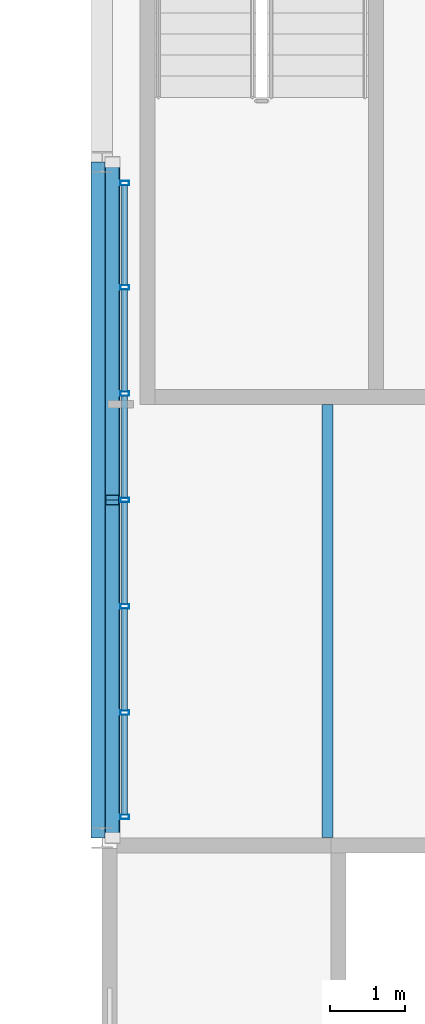
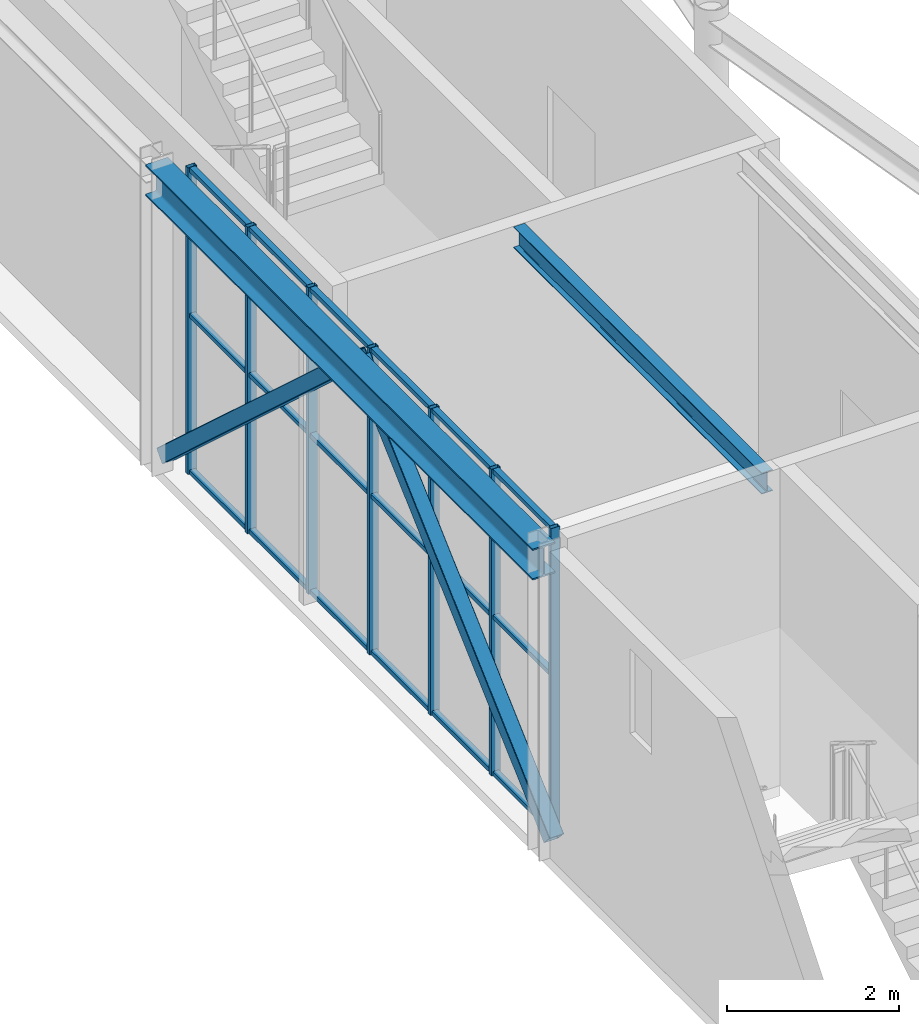
# One storey, part 20 of 70: 27 members, 2 beams, 1 element without a shape of its own.
"""IFC4 building model written with IfcOpenShell, lengths in metres."""

from ifc_helpers import new_model, si_unit, direction, frame, origin, origin_2d, place, context, subcontext, project, spatial, hollow_rectangle, i_section, extrude, material, layer, layer_set, material_profile, profile_set, type_object, element, aggregate, save


model = new_model("IFC4")

# Units and contexts
model_context = context("Model", 3, precision=1e-05, world=origin(), true_north=direction((0.0, 1.0)))
body_context = subcontext(model_context, "Body", "Model", "MODEL_VIEW")
ifc_project = project(units=[si_unit("LENGTHUNIT", "METRE"), si_unit("AREAUNIT", "SQUARE_METRE"), si_unit("VOLUMEUNIT", "CUBIC_METRE"), si_unit("PLANEANGLEUNIT", "RADIAN"), si_unit("MASSUNIT", "GRAM", prefix="KILO")], contexts=[model_context])

# Site, building, storey
site_placement = place(None, origin())
site = spatial("IfcSite", under=ifc_project, at=site_placement, CompositionType="ELEMENT")
building_placement = place(site_placement, origin())
building = spatial("IfcBuilding", under=site, at=building_placement, Name="Kallimachos Central Library", CompositionType="ELEMENT")
storey_placement = place(building_placement, frame((0.0, 0.0, 18.89990234375)))
storey = spatial("IfcBuildingStorey", under=building, at=storey_placement, Name="L04", CompositionType="ELEMENT", Elevation=18.89990234375)

# Curtain wall, members
ifc_material_1 = material(Name="Anodised aluminium and laminated glass", Category="aluminium")
ifc_layer = layer(ifc_material_1, 0.159912109375)
ifc_layer_set = layer_set([ifc_layer], Name="Glass box curtain wall")
curtain_wall_type = type_object("IfcCurtainWallType", Name="Glass box curtain wall", PredefinedType="NOTDEFINED", material=ifc_layer_set)
curtain_wall_placement = place(storey_placement, origin())
curtain_wall = element("IfcCurtainWall", 1, at=curtain_wall_placement, inside=storey, type_object=curtain_wall_type, Name="Glass box curtain wall W L04", PredefinedType="NOTDEFINED")
ifc_material_2 = material(Name="Anodised aluminium", Category="aluminium")
ifc_material_profile_1 = material_profile(ifc_material_2, hollow_rectangle(XDim=0.06005859375, YDim=0.1201171875, WallThickness=0.00390625, at=origin_2d()), Name="ALU MULLION 60x120")
ifc_profile_set_1 = profile_set([ifc_material_profile_1], Name="Anodised aluminium")
member_type_1 = type_object("IfcMemberType", Name="Glass box mullion 60x120", PredefinedType="MULLION", material=ifc_profile_set_1)
member_1_placement = place(storey_placement, frame((65.800048828125, 96.280029296875, 0.0), z_axis=(0.0, 0.0, 1.0), x_axis=(0.0, 1.0, 0.0)))
member_1 = element("IfcMember", 2, at=member_1_placement, type_object=member_type_1, Name="CW30 mullion 1", PredefinedType="MULLION", context=body_context, shape_type="SweptSolid", body=[
    extrude(hollow_rectangle(XDim=0.06005859375, YDim=0.1201171875, WallThickness=0.00390625, at=origin_2d()), origin(), (0.0, 0.0, 1.0), 4.35009765625),
])
member_2_placement = place(storey_placement, frame((65.800048828125, 97.666748046875, 0.0), z_axis=(0.0, 0.0, 1.0), x_axis=(0.0, 1.0, 0.0)))
member_2 = element("IfcMember", 3, at=member_2_placement, type_object=member_type_1, Name="CW30 mullion 2", PredefinedType="MULLION", context=body_context, shape_type="SweptSolid", body=[
    extrude(hollow_rectangle(XDim=0.06005859375, YDim=0.1201171875, WallThickness=0.00390625, at=origin_2d()), origin(), (0.0, 0.0, 1.0), 4.35009765625),
])
member_3_placement = place(storey_placement, frame((65.800048828125, 99.083251953125, 0.0), z_axis=(0.0, 0.0, 1.0), x_axis=(0.0, 1.0, 0.0)))
member_3 = element("IfcMember", 4, at=member_3_placement, type_object=member_type_1, Name="CW30 mullion 3", PredefinedType="MULLION", context=body_context, shape_type="SweptSolid", body=[
    extrude(hollow_rectangle(XDim=0.06005859375, YDim=0.1201171875, WallThickness=0.00390625, at=origin_2d()), origin(), (0.0, 0.0, 1.0), 4.35009765625),
])
member_4_placement = place(storey_placement, frame((65.800048828125, 100.5, 0.0), z_axis=(0.0, 0.0, 1.0), x_axis=(0.0, 1.0, 0.0)))
member_4 = element("IfcMember", 5, at=member_4_placement, type_object=member_type_1, Name="CW30 mullion 4", PredefinedType="MULLION", context=body_context, shape_type="SweptSolid", body=[
    extrude(hollow_rectangle(XDim=0.06005859375, YDim=0.1201171875, WallThickness=0.00390625, at=origin_2d()), origin(), (0.0, 0.0, 1.0), 4.35009765625),
])
member_5_placement = place(storey_placement, frame((65.800048828125, 101.916748046875, 0.0), z_axis=(0.0, 0.0, 1.0), x_axis=(0.0, 1.0, 0.0)))
member_5 = element("IfcMember", 6, at=member_5_placement, type_object=member_type_1, Name="CW30 mullion 5", PredefinedType="MULLION", context=body_context, shape_type="SweptSolid", body=[
    extrude(hollow_rectangle(XDim=0.06005859375, YDim=0.1201171875, WallThickness=0.00390625, at=origin_2d()), origin(), (0.0, 0.0, 1.0), 4.35009765625),
])
member_6_placement = place(storey_placement, frame((65.800048828125, 103.333251953125, 0.0), z_axis=(0.0, 0.0, 1.0), x_axis=(0.0, 1.0, 0.0)))
member_6 = element("IfcMember", 7, at=member_6_placement, type_object=member_type_1, Name="CW30 mullion 6", PredefinedType="MULLION", context=body_context, shape_type="SweptSolid", body=[
    extrude(hollow_rectangle(XDim=0.06005859375, YDim=0.1201171875, WallThickness=0.00390625, at=origin_2d()), origin(), (0.0, 0.0, 1.0), 4.35009765625),
])
member_7_placement = place(storey_placement, frame((65.800048828125, 104.719970703125, 0.0), z_axis=(0.0, 0.0, 1.0), x_axis=(0.0, 1.0, 0.0)))
member_7 = element("IfcMember", 8, at=member_7_placement, type_object=member_type_1, Name="CW30 mullion 7", PredefinedType="MULLION", context=body_context, shape_type="SweptSolid", body=[
    extrude(hollow_rectangle(XDim=0.06005859375, YDim=0.1201171875, WallThickness=0.00390625, at=origin_2d()), origin(), (0.0, 0.0, 1.0), 4.35009765625),
])
ifc_material_3 = material(Name="Anodised aluminium", Category="aluminium")
ifc_material_profile_2 = material_profile(ifc_material_3, hollow_rectangle(XDim=0.06005859375, YDim=0.080078125, WallThickness=0.00390625, at=origin_2d()), Name="ALU TRANSOM 60x80")
ifc_profile_set_2 = profile_set([ifc_material_profile_2], Name="Anodised aluminium")
member_type_2 = type_object("IfcMemberType", Name="Glass box transom 60x80", PredefinedType="USERDEFINED", material=ifc_profile_set_2)
member_8_placement = place(storey_placement, frame((65.800048828125, 96.31005859375, 0.030029296875), z_axis=(0.0, 1.0, 0.0), x_axis=(0.0, 0.0, 1.0)))
member_8 = element("IfcMember", 9, at=member_8_placement, type_object=member_type_2, Name="CW30 transom 1.1", ObjectType="TRANSOM", PredefinedType="USERDEFINED", context=body_context, shape_type="SweptSolid", body=[
    extrude(hollow_rectangle(XDim=0.06005859375, YDim=0.080078125, WallThickness=0.00390625, at=origin_2d()), origin(), (0.0, 0.0, 1.0), 1.32666015625),
])
member_9_placement = place(storey_placement, frame((65.800048828125, 96.31005859375, 2.25), z_axis=(0.0, 1.0, 0.0), x_axis=(0.0, 0.0, 1.0)))
member_9 = element("IfcMember", 10, at=member_9_placement, type_object=member_type_2, Name="CW30 transom 1.2", ObjectType="TRANSOM", PredefinedType="USERDEFINED", context=body_context, shape_type="SweptSolid", body=[
    extrude(hollow_rectangle(XDim=0.06005859375, YDim=0.080078125, WallThickness=0.00390625, at=origin_2d()), origin(), (0.0, 0.0, 1.0), 1.32666015625),
])
member_10_placement = place(storey_placement, frame((65.800048828125, 96.31005859375, 4.320068359375), z_axis=(0.0, 1.0, 0.0), x_axis=(0.0, 0.0, 1.0)))
member_10 = element("IfcMember", 11, at=member_10_placement, type_object=member_type_2, Name="CW30 transom 1.3", ObjectType="TRANSOM", PredefinedType="USERDEFINED", context=body_context, shape_type="SweptSolid", body=[
    extrude(hollow_rectangle(XDim=0.06005859375, YDim=0.080078125, WallThickness=0.00390625, at=origin_2d()), origin(), (0.0, 0.0, 1.0), 1.32666015625),
])
member_11_placement = place(storey_placement, frame((65.800048828125, 97.69677734375, 0.030029296875), z_axis=(0.0, 1.0, 0.0), x_axis=(0.0, 0.0, 1.0)))
member_11 = element("IfcMember", 12, at=member_11_placement, type_object=member_type_2, Name="CW30 transom 2.1", ObjectType="TRANSOM", PredefinedType="USERDEFINED", context=body_context, shape_type="SweptSolid", body=[
    extrude(hollow_rectangle(XDim=0.06005859375, YDim=0.080078125, WallThickness=0.00390625, at=origin_2d()), origin(), (0.0, 0.0, 1.0), 1.3564453125),
])
member_12_placement = place(storey_placement, frame((65.800048828125, 97.69677734375, 2.25), z_axis=(0.0, 1.0, 0.0), x_axis=(0.0, 0.0, 1.0)))
member_12 = element("IfcMember", 13, at=member_12_placement, type_object=member_type_2, Name="CW30 transom 2.2", ObjectType="TRANSOM", PredefinedType="USERDEFINED", context=body_context, shape_type="SweptSolid", body=[
    extrude(hollow_rectangle(XDim=0.06005859375, YDim=0.080078125, WallThickness=0.00390625, at=origin_2d()), origin(), (0.0, 0.0, 1.0), 1.3564453125),
])
member_13_placement = place(storey_placement, frame((65.800048828125, 97.69677734375, 4.320068359375), z_axis=(0.0, 1.0, 0.0), x_axis=(0.0, 0.0, 1.0)))
member_13 = element("IfcMember", 14, at=member_13_placement, type_object=member_type_2, Name="CW30 transom 2.3", ObjectType="TRANSOM", PredefinedType="USERDEFINED", context=body_context, shape_type="SweptSolid", body=[
    extrude(hollow_rectangle(XDim=0.06005859375, YDim=0.080078125, WallThickness=0.00390625, at=origin_2d()), origin(), (0.0, 0.0, 1.0), 1.3564453125),
])
member_14_placement = place(storey_placement, frame((65.800048828125, 99.11328125, 0.030029296875), z_axis=(0.0, 1.0, 0.0), x_axis=(0.0, 0.0, 1.0)))
member_14 = element("IfcMember", 15, at=member_14_placement, type_object=member_type_2, Name="CW30 transom 3.1", ObjectType="TRANSOM", PredefinedType="USERDEFINED", context=body_context, shape_type="SweptSolid", body=[
    extrude(hollow_rectangle(XDim=0.06005859375, YDim=0.080078125, WallThickness=0.00390625, at=origin_2d()), origin(), (0.0, 0.0, 1.0), 1.356689453125),
])
member_15_placement = place(storey_placement, frame((65.800048828125, 99.11328125, 2.25), z_axis=(0.0, 1.0, 0.0), x_axis=(0.0, 0.0, 1.0)))
member_15 = element("IfcMember", 16, at=member_15_placement, type_object=member_type_2, Name="CW30 transom 3.2", ObjectType="TRANSOM", PredefinedType="USERDEFINED", context=body_context, shape_type="SweptSolid", body=[
    extrude(hollow_rectangle(XDim=0.06005859375, YDim=0.080078125, WallThickness=0.00390625, at=origin_2d()), origin(), (0.0, 0.0, 1.0), 1.356689453125),
])
member_16_placement = place(storey_placement, frame((65.800048828125, 99.11328125, 4.320068359375), z_axis=(0.0, 1.0, 0.0), x_axis=(0.0, 0.0, 1.0)))
member_16 = element("IfcMember", 17, at=member_16_placement, type_object=member_type_2, Name="CW30 transom 3.3", ObjectType="TRANSOM", PredefinedType="USERDEFINED", context=body_context, shape_type="SweptSolid", body=[
    extrude(hollow_rectangle(XDim=0.06005859375, YDim=0.080078125, WallThickness=0.00390625, at=origin_2d()), origin(), (0.0, 0.0, 1.0), 1.356689453125),
])
member_17_placement = place(storey_placement, frame((65.800048828125, 100.530029296875, 0.030029296875), z_axis=(0.0, 1.0, 0.0), x_axis=(0.0, 0.0, 1.0)))
member_17 = element("IfcMember", 18, at=member_17_placement, type_object=member_type_2, Name="CW30 transom 4.1", ObjectType="TRANSOM", PredefinedType="USERDEFINED", context=body_context, shape_type="SweptSolid", body=[
    extrude(hollow_rectangle(XDim=0.06005859375, YDim=0.080078125, WallThickness=0.00390625, at=origin_2d()), origin(), (0.0, 0.0, 1.0), 1.356689453125),
])
member_18_placement = place(storey_placement, frame((65.800048828125, 100.530029296875, 2.25), z_axis=(0.0, 1.0, 0.0), x_axis=(0.0, 0.0, 1.0)))
member_18 = element("IfcMember", 19, at=member_18_placement, type_object=member_type_2, Name="CW30 transom 4.2", ObjectType="TRANSOM", PredefinedType="USERDEFINED", context=body_context, shape_type="SweptSolid", body=[
    extrude(hollow_rectangle(XDim=0.06005859375, YDim=0.080078125, WallThickness=0.00390625, at=origin_2d()), origin(), (0.0, 0.0, 1.0), 1.356689453125),
])
member_19_placement = place(storey_placement, frame((65.800048828125, 100.530029296875, 4.320068359375), z_axis=(0.0, 1.0, 0.0), x_axis=(0.0, 0.0, 1.0)))
member_19 = element("IfcMember", 20, at=member_19_placement, type_object=member_type_2, Name="CW30 transom 4.3", ObjectType="TRANSOM", PredefinedType="USERDEFINED", context=body_context, shape_type="SweptSolid", body=[
    extrude(hollow_rectangle(XDim=0.06005859375, YDim=0.080078125, WallThickness=0.00390625, at=origin_2d()), origin(), (0.0, 0.0, 1.0), 1.356689453125),
])
member_20_placement = place(storey_placement, frame((65.800048828125, 101.94677734375, 0.030029296875), z_axis=(0.0, 1.0, 0.0), x_axis=(0.0, 0.0, 1.0)))
member_20 = element("IfcMember", 21, at=member_20_placement, type_object=member_type_2, Name="CW30 transom 5.1", ObjectType="TRANSOM", PredefinedType="USERDEFINED", context=body_context, shape_type="SweptSolid", body=[
    extrude(hollow_rectangle(XDim=0.06005859375, YDim=0.080078125, WallThickness=0.00390625, at=origin_2d()), origin(), (0.0, 0.0, 1.0), 1.3564453125),
])
member_21_placement = place(storey_placement, frame((65.800048828125, 101.94677734375, 2.25), z_axis=(0.0, 1.0, 0.0), x_axis=(0.0, 0.0, 1.0)))
member_21 = element("IfcMember", 22, at=member_21_placement, type_object=member_type_2, Name="CW30 transom 5.2", ObjectType="TRANSOM", PredefinedType="USERDEFINED", context=body_context, shape_type="SweptSolid", body=[
    extrude(hollow_rectangle(XDim=0.06005859375, YDim=0.080078125, WallThickness=0.00390625, at=origin_2d()), origin(), (0.0, 0.0, 1.0), 1.3564453125),
])
member_22_placement = place(storey_placement, frame((65.800048828125, 101.94677734375, 4.320068359375), z_axis=(0.0, 1.0, 0.0), x_axis=(0.0, 0.0, 1.0)))
member_22 = element("IfcMember", 23, at=member_22_placement, type_object=member_type_2, Name="CW30 transom 5.3", ObjectType="TRANSOM", PredefinedType="USERDEFINED", context=body_context, shape_type="SweptSolid", body=[
    extrude(hollow_rectangle(XDim=0.06005859375, YDim=0.080078125, WallThickness=0.00390625, at=origin_2d()), origin(), (0.0, 0.0, 1.0), 1.3564453125),
])
member_23_placement = place(storey_placement, frame((65.800048828125, 103.36328125, 0.030029296875), z_axis=(0.0, 1.0, 0.0), x_axis=(0.0, 0.0, 1.0)))
member_23 = element("IfcMember", 24, at=member_23_placement, type_object=member_type_2, Name="CW30 transom 6.1", ObjectType="TRANSOM", PredefinedType="USERDEFINED", context=body_context, shape_type="SweptSolid", body=[
    extrude(hollow_rectangle(XDim=0.06005859375, YDim=0.080078125, WallThickness=0.00390625, at=origin_2d()), origin(), (0.0, 0.0, 1.0), 1.32666015625),
])
member_24_placement = place(storey_placement, frame((65.800048828125, 103.36328125, 2.25), z_axis=(0.0, 1.0, 0.0), x_axis=(0.0, 0.0, 1.0)))
member_24 = element("IfcMember", 25, at=member_24_placement, type_object=member_type_2, Name="CW30 transom 6.2", ObjectType="TRANSOM", PredefinedType="USERDEFINED", context=body_context, shape_type="SweptSolid", body=[
    extrude(hollow_rectangle(XDim=0.06005859375, YDim=0.080078125, WallThickness=0.00390625, at=origin_2d()), origin(), (0.0, 0.0, 1.0), 1.32666015625),
])
member_25_placement = place(storey_placement, frame((65.800048828125, 103.36328125, 4.320068359375), z_axis=(0.0, 1.0, 0.0), x_axis=(0.0, 0.0, 1.0)))
member_25 = element("IfcMember", 26, at=member_25_placement, type_object=member_type_2, Name="CW30 transom 6.3", ObjectType="TRANSOM", PredefinedType="USERDEFINED", context=body_context, shape_type="SweptSolid", body=[
    extrude(hollow_rectangle(XDim=0.06005859375, YDim=0.080078125, WallThickness=0.00390625, at=origin_2d()), origin(), (0.0, 0.0, 1.0), 1.32666015625),
])
aggregate(curtain_wall, [member_1, member_2, member_3, member_4, member_5, member_6, member_7, member_8, member_9, member_10, member_11, member_12, member_13, member_14, member_15, member_16, member_17, member_18, member_19, member_20, member_21, member_22, member_23, member_24, member_25])

# Beams
ifc_material_4 = material(Name="Steel S355J2", Category="steel")
ifc_material_profile_3 = material_profile(ifc_material_4, i_section(OverallWidth=0.300048828125, OverallDepth=0.43994140625, WebThickness=0.011474609375, FlangeThickness=0.02099609375, FilletRadius=0.027099609375, at=origin_2d()), Name="HEA 450")
ifc_profile_set_3 = profile_set([ifc_material_profile_3], Name="Steel S355J2")
beam_type_1 = type_object("IfcBeamType", Name="HEA 450 beam", PredefinedType="BEAM", material=ifc_profile_set_3)
beam_1_placement = place(storey_placement, frame((65.5, 96.0, 4.130126953125), z_axis=(0.0, 1.0, 0.0), x_axis=(-1.0, 0.0, 0.0)))
element("IfcBeam", 27, at=beam_1_placement, inside=storey, type_object=beam_type_1, Name="V1-BEM-L04-021", PredefinedType="BEAM", context=body_context, shape_type="SweptSolid", body=[
    extrude(i_section(OverallWidth=0.300048828125, OverallDepth=0.43994140625, WebThickness=0.011474609375, FlangeThickness=0.02099609375, FilletRadius=0.027099609375, at=origin_2d()), origin(), (0.0, 0.0, 1.0), 9.0),
])
ifc_material_5 = material(Name="Steel S355J2", Category="steel")
ifc_material_profile_4 = material_profile(ifc_material_5, i_section(OverallWidth=0.14990234375, OverallDepth=0.300048828125, WebThickness=0.007080078125, FlangeThickness=0.0107421875, FilletRadius=0.014892578125, at=origin_2d()), Name="IPE 300")
ifc_profile_set_4 = profile_set([ifc_material_profile_4], Name="Steel S355J2")
beam_type_2 = type_object("IfcBeamType", Name="IPE 300 beam", PredefinedType="BEAM", material=ifc_profile_set_4)
beam_2_placement = place(storey_placement, frame((68.5, 96.0048828125, 4.2001953125), z_axis=(0.0, 1.0, 0.0), x_axis=(-1.0, 0.0, 0.0)))
element("IfcBeam", 28, at=beam_2_placement, inside=storey, type_object=beam_type_2, Name="V1-BEM-L04-049", PredefinedType="BEAM", context=body_context, shape_type="SweptSolid", body=[
    extrude(i_section(OverallWidth=0.14990234375, OverallDepth=0.300048828125, WebThickness=0.007080078125, FlangeThickness=0.0107421875, FilletRadius=0.014892578125, at=origin_2d()), origin(), (0.0, 0.0, 1.0), 5.76513671875),
])

# Members
ifc_material_6 = material(Name="Steel S355J2H", Category="steel")
ifc_material_profile_5 = material_profile(ifc_material_6, hollow_rectangle(XDim=0.199951171875, YDim=0.199951171875, WallThickness=0.010009765625, InnerFilletRadius=0.010009765625, OuterFilletRadius=0.014892578125, at=origin_2d()), Name="SHS 200x200x10")
ifc_profile_set_5 = profile_set([ifc_material_profile_5], Name="Steel S355J2H")
member_type_3 = type_object("IfcMemberType", Name="SHS 200x200x10 brace", PredefinedType="BRACE", material=ifc_profile_set_5)
for number, where, z_axis, x_axis, name in (
    (29, (65.635009765625, 96.0, 0.150146484375), (0.0, 0.7392083166, 0.673476847909), (-1.0, 0.0, 0.0), "Chevron brace 65.5 L04"),
    (30, (65.635009765625, 105.0, 0.150146484375), (0.0, -0.7392083166, 0.673476847909), (1.0, 0.0, 0.0), "Chevron brace 65.5 L04"),
):
    element("IfcMember", number, at=place(storey_placement, frame(where, z_axis=z_axis, x_axis=x_axis)), inside=storey, type_object=member_type_3, Name=name, PredefinedType="BRACE", context=body_context, shape_type="SweptSolid", body=[
        extrude(hollow_rectangle(XDim=0.199951171875, YDim=0.199951171875, WallThickness=0.010009765625, InnerFilletRadius=0.010009765625, OuterFilletRadius=0.014892578125, at=origin_2d()), origin(), (0.0, 0.0, 1.0), 6.087646484375),
    ])

save(model, "model.ifc")
